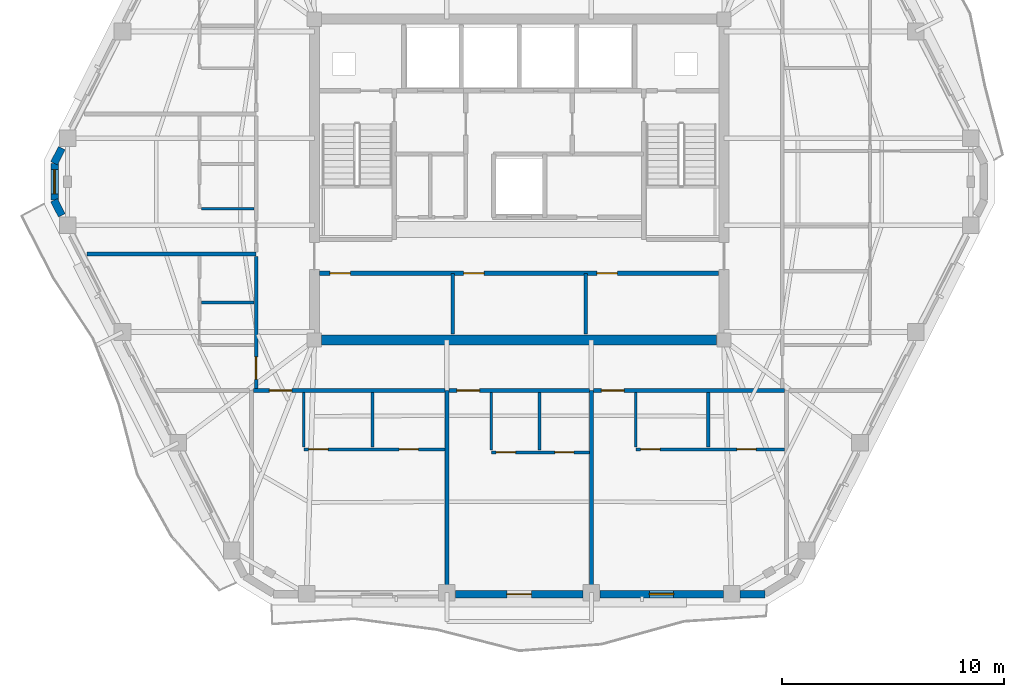
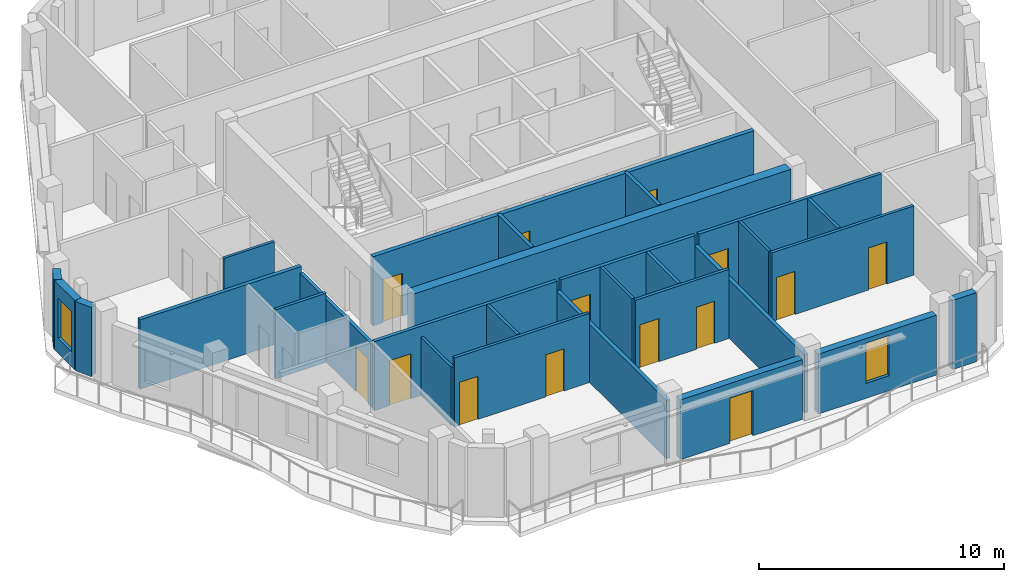
# One storey, part 4 of 11: 28 walls, 14 doors, 2 windows, 16 openings.
"""IFC4 building model written with IfcOpenShell, lengths in metres."""

from ifc_helpers import new_model, si_unit, direction, frame, frame_2d, origin, place, context, subcontext, project, spatial, rectangle, extrude, material, layer, layer_set, type_object, element, fill, save


model = new_model("IFC4")

# Units and contexts
model_context = context("Model", 3, precision=1e-05, world=origin(), true_north=direction((0.0, 1.0)))
body_context = subcontext(model_context, "Body", "Model", "MODEL_VIEW")
ifc_project = project(units=[si_unit("LENGTHUNIT", "METRE"), si_unit("AREAUNIT", "SQUARE_METRE"), si_unit("VOLUMEUNIT", "CUBIC_METRE"), si_unit("PLANEANGLEUNIT", "RADIAN"), si_unit("MASSUNIT", "GRAM", prefix="KILO")], contexts=[model_context])

# Site, building, storey
site_placement = place(None, origin())
site = spatial("IfcSite", under=ifc_project, at=site_placement, CompositionType="ELEMENT")
building_placement = place(site_placement, origin())
building = spatial("IfcBuilding", under=site, at=building_placement, Name="Cinnabar Lancet Tower", CompositionType="ELEMENT")
storey_placement = place(building_placement, frame((0.0, 0.0, 241.60009765625)))
storey = spatial("IfcBuildingStorey", under=building, at=storey_placement, Name="L64", CompositionType="ELEMENT", Elevation=241.60009765625)

# Walls
ifc_material_1 = material(Name="Acoustic twin-stud gypsum partition", Category="gypsum")
ifc_layer_1 = layer(ifc_material_1, 0.159912109375)
ifc_layer_set_1 = layer_set([ifc_layer_1], Name="Acoustic twin-stud gypsum partition")
wall_type_1 = type_object("IfcWallType", Name="ARC-WL-CORR-160", PredefinedType="PARTITIONING", material=ifc_layer_set_1)
for number, where, z_axis, x_axis, name in (
    (1, (29.39990234375, 18.949951171875, 0.0), (0.0, 0.0, 1.0), (0.0, 1.0, 0.0), "CW-SB-2940-L64"),
    (2, (35.39990234375, 18.949951171875, 0.0), (0.0, 0.0, 1.0), (0.0, 1.0, 0.0), "CW-SB-3540-L64"),
):
    element("IfcWall", number, at=place(storey_placement, frame(where, z_axis=z_axis, x_axis=x_axis)), inside=storey, type_object=wall_type_1, Name=name, PredefinedType="PARTITIONING", context=body_context, shape_type="SweptSolid", body=[
        extrude(rectangle(XDim=2.72998046875, YDim=0.159912109375, at=frame_2d((1.364990234375, 0.0))), origin(), (0.0, 0.0, 1.0), 3.449951171875),
    ])

# Wall, opening, door
wall_1_placement = place(storey_placement, frame((20.445068359375, 16.39990234375, 0.0), z_axis=(0.0, 0.0, 1.0), x_axis=(1.0, 0.0, 0.0)))
wall_1 = element("IfcWall", 3, at=wall_1_placement, inside=storey, type_object=wall_type_1, Name="L64 Unit S01 Corridor Wall", PredefinedType="PARTITIONING", context=body_context, shape_type="SweptSolid", body=[
    extrude(rectangle(XDim=8.60595703125, YDim=0.159912109375, at=frame_2d((4.302978515625, 0.0))), origin(), (0.0, 0.0, 1.0), 3.449951171875),
])
opening_1_placement = place(wall_1_placement, frame((0.705078125, 0.0, 0.0)))
opening_1 = element("IfcOpeningElement", 4, at=opening_1_placement, cuts=wall_1, Name="Opening UD-01", PredefinedType="OPENING", context=body_context, shape_type="SweptSolid", body=[
    extrude(rectangle(XDim=1.02001953125, YDim=2.25, at=frame_2d((0.510009765625, 1.125))), frame((0.0, 0.08984375, 0.0), z_axis=(0.0, -1.0, 0.0), x_axis=(1.0, 0.0, 0.0)), (0.0, 0.0, 1.0), 0.179931640625),
])
ifc_material_2 = material(Name="Solid timber fire-rated apartment entrance door", Category="wood")
door_type_1 = type_object("IfcDoorType", Name="ARC-DR-UNIT", OperationType="NOTDEFINED", PredefinedType="DOOR", material=ifc_material_2)
door_1_placement = place(opening_1_placement, origin())
door_1 = element("IfcDoor", 5, at=door_1_placement, inside=storey, type_object=door_type_1, Name="DR-L64-S01-ENT", OperationType="SINGLE_SWING_RIGHT", OverallHeight=2.25, OverallWidth=1.02001953125, PredefinedType="DOOR", context=body_context, shape_type="SweptSolid", body=[
    extrude(rectangle(XDim=1.02001953125, YDim=2.25, at=frame_2d((0.510009765625, 1.125))), frame((0.0, 0.02490234375, 0.0), z_axis=(0.0, -1.0, 0.0), x_axis=(1.0, 0.0, 0.0)), (0.0, 0.0, 1.0), 0.050048828125),
])
fill(opening_1, door_1)

wall_2_placement = place(storey_placement, frame((29.240966796875, 16.39990234375, 0.0), z_axis=(0.0, 0.0, 1.0), x_axis=(1.0, 0.0, 0.0)))
wall_2 = element("IfcWall", 6, at=wall_2_placement, inside=storey, type_object=wall_type_1, Name="L64 Unit S02 Corridor Wall", PredefinedType="PARTITIONING", context=body_context, shape_type="SweptSolid", body=[
    extrude(rectangle(XDim=6.318115234375, YDim=0.159912109375, at=frame_2d((3.1591796875, 0.0))), origin(), (0.0, 0.0, 1.0), 3.449951171875),
])
opening_2_placement = place(wall_2_placement, frame((0.35498046875, 0.0, 0.0)))
opening_2 = element("IfcOpeningElement", 7, at=opening_2_placement, cuts=wall_2, Name="Opening UD-01", PredefinedType="OPENING", context=body_context, shape_type="SweptSolid", body=[
    extrude(rectangle(XDim=1.02001953125, YDim=2.25, at=frame_2d((0.510009765625, 1.125))), frame((0.0, 0.08984375, 0.0), z_axis=(0.0, -1.0, 0.0), x_axis=(1.0, 0.0, 0.0)), (0.0, 0.0, 1.0), 0.179931640625),
])
door_2_placement = place(opening_2_placement, origin())
door_2 = element("IfcDoor", 8, at=door_2_placement, inside=storey, type_object=door_type_1, Name="DR-L64-S02-ENT", OperationType="SINGLE_SWING_LEFT", OverallHeight=2.25, OverallWidth=1.02001953125, PredefinedType="DOOR", context=body_context, shape_type="SweptSolid", body=[
    extrude(rectangle(XDim=1.02001953125, YDim=2.25, at=frame_2d((0.510009765625, 1.125))), frame((0.0, 0.02490234375, 0.0), z_axis=(0.0, -1.0, 0.0), x_axis=(1.0, 0.0, 0.0)), (0.0, 0.0, 1.0), 0.050048828125),
])
fill(opening_2, door_2)

wall_3_placement = place(storey_placement, frame((35.7490234375, 16.39990234375, 0.0), z_axis=(0.0, 0.0, 1.0), x_axis=(1.0, 0.0, 0.0)))
wall_3 = element("IfcWall", 9, at=wall_3_placement, inside=storey, type_object=wall_type_1, Name="L64 Unit S03 Corridor Wall", PredefinedType="PARTITIONING", context=body_context, shape_type="SweptSolid", body=[
    extrude(rectangle(XDim=8.60595703125, YDim=0.159912109375, at=frame_2d((4.302978515625, 0.0))), origin(), (0.0, 0.0, 1.0), 3.449951171875),
])
opening_3_placement = place(wall_3_placement, frame((0.35498046875, 0.0, 0.0)))
opening_3 = element("IfcOpeningElement", 10, at=opening_3_placement, cuts=wall_3, Name="Opening UD-01", PredefinedType="OPENING", context=body_context, shape_type="SweptSolid", body=[
    extrude(rectangle(XDim=1.02001953125, YDim=2.25, at=frame_2d((0.510009765625, 1.125))), frame((0.0, 0.08984375, 0.0), z_axis=(0.0, -1.0, 0.0), x_axis=(1.0, 0.0, 0.0)), (0.0, 0.0, 1.0), 0.179931640625),
])
door_3_placement = place(opening_3_placement, origin())
door_3 = element("IfcDoor", 11, at=door_3_placement, inside=storey, type_object=door_type_1, Name="DR-L64-S03-ENT", OperationType="SINGLE_SWING_RIGHT", OverallHeight=2.25, OverallWidth=1.02001953125, PredefinedType="DOOR", context=body_context, shape_type="SweptSolid", body=[
    extrude(rectangle(XDim=1.02001953125, YDim=2.25, at=frame_2d((0.510009765625, 1.125))), frame((0.0, 0.02490234375, 0.0), z_axis=(0.0, -1.0, 0.0), x_axis=(1.0, 0.0, 0.0)), (0.0, 0.0, 1.0), 0.050048828125),
])
fill(opening_3, door_3)

wall_4_placement = place(storey_placement, frame((20.550048828125, 16.4951171875, 0.0), z_axis=(0.0, 0.0, 1.0), x_axis=(0.0, 1.0, 0.0)))
wall_4 = element("IfcWall", 12, at=wall_4_placement, inside=storey, type_object=wall_type_1, Name="UW-L64-W01-COR", PredefinedType="PARTITIONING", context=body_context, shape_type="SweptSolid", body=[
    extrude(rectangle(XDim=5.947998046875, YDim=0.159912109375, at=frame_2d((2.97412109375, 0.0))), origin(), (0.0, 0.0, 1.0), 3.136962890625),
])
opening_4_placement = place(wall_4_placement, frame((0.39990234375, 0.0, 0.0)))
opening_4 = element("IfcOpeningElement", 13, at=opening_4_placement, cuts=wall_4, Name="Opening UD-01", PredefinedType="OPENING", context=body_context, shape_type="SweptSolid", body=[
    extrude(rectangle(XDim=1.02001953125, YDim=2.25, at=frame_2d((0.510009765625, 1.125))), frame((0.0, 0.08984375, 0.0), z_axis=(0.0, -1.0, 0.0), x_axis=(1.0, 0.0, 0.0)), (0.0, 0.0, 1.0), 0.179931640625),
])
door_4_placement = place(opening_4_placement, origin())
door_4 = element("IfcDoor", 14, at=door_4_placement, inside=storey, type_object=door_type_1, Name="DR-L64-W01-ENT", OperationType="SINGLE_SWING_RIGHT", OverallHeight=2.25, OverallWidth=1.02001953125, PredefinedType="DOOR", context=body_context, shape_type="SweptSolid", body=[
    extrude(rectangle(XDim=1.02001953125, YDim=2.25, at=frame_2d((0.510009765625, 1.125))), frame((0.0, 0.02490234375, 0.0), z_axis=(0.0, -1.0, 0.0), x_axis=(1.0, 0.0, 0.0)), (0.0, 0.0, 1.0), 0.050048828125),
])
fill(opening_4, door_4)

# Walls
ifc_material_3 = material(Name="Fire-rated twin-frame acoustic drywall", Category="gypsum")
ifc_layer_2 = layer(ifc_material_3, 0.179931640625)
ifc_layer_set_2 = layer_set([ifc_layer_2], Name="Fire-rated twin-frame acoustic drywall")
wall_type_2 = type_object("IfcWallType", Name="ARC-WL-PARTY-180", PredefinedType="PARTITIONING", material=ifc_layer_set_2)
for number, where, z_axis, x_axis, name in (
    (15, (29.14599609375, 7.405029296875, 0.0), (0.0, 0.0, 1.0), (0.0, 1.0, 0.0), "PW-L64-SPTY-291"),
    (16, (35.654052734375, 7.405029296875, 0.0), (0.0, 0.0, 1.0), (0.0, 1.0, 0.0), "PW-L64-SPTY-357"),
):
    element("IfcWall", number, at=place(storey_placement, frame(where, z_axis=z_axis, x_axis=x_axis)), inside=storey, type_object=wall_type_2, Name=name, PredefinedType="PARTITIONING", context=body_context, shape_type="SweptSolid", body=[
        extrude(rectangle(XDim=8.994873046875, YDim=0.179931640625, at=frame_2d((4.49755859375, 0.0))), origin(), (0.0, 0.0, 1.0), 2.906982421875),
    ])
wall_5_placement = place(storey_placement, frame((12.929931640625, 22.5380859375, 0.0), z_axis=(0.0, 0.0, 1.0), x_axis=(1.0, 0.0, 0.0)))
element("IfcWall", 17, at=wall_5_placement, inside=storey, type_object=wall_type_2, Name="PW-L64-WPTY-1", PredefinedType="PARTITIONING", context=body_context, shape_type="SweptSolid", body=[
    extrude(rectangle(XDim=7.6201171875, YDim=0.179931640625, at=frame_2d((3.81005859375, 0.0))), origin(), (0.0, 0.0, 1.0), 3.449951171875),
])

# Wall, openings, doors
ifc_material_4 = material(Name="Autoclaved aerated concrete blockwork", Category="masonry")
ifc_layer_3 = layer(ifc_material_4, 0.199951171875)
ifc_layer_set_3 = layer_set([ifc_layer_3], Name="Autoclaved aerated concrete blockwork")
wall_type_3 = type_object("IfcWallType", Name="ARC-WL-SHAFT-200", PredefinedType="PLUMBINGWALL", material=ifc_layer_set_3)
wall_6_placement = place(storey_placement, frame((23.419921875, 21.679931640625, 0.0), z_axis=(0.0, 0.0, 1.0), x_axis=(1.0, 0.0, 0.0)))
wall_6 = element("IfcWall", 18, at=wall_6_placement, inside=storey, type_object=wall_type_3, Name="CW-SBANDN-L64", PredefinedType="PLUMBINGWALL", context=body_context, shape_type="SweptSolid", body=[
    extrude(rectangle(XDim=17.9599609375, YDim=0.199951171875, at=frame_2d((8.97998046875, 0.0))), origin(), (0.0, 0.0, 1.0), 3.449951171875),
])
opening_5_placement = place(wall_6_placement, frame((0.4599609375, 0.0, 0.0)))
opening_5 = element("IfcOpeningElement", 19, at=opening_5_placement, cuts=wall_6, Name="Opening RD-01", PredefinedType="OPENING", context=body_context, shape_type="SweptSolid", body=[
    extrude(rectangle(XDim=0.919921875, YDim=2.14990234375, at=frame_2d((0.4599609375, 1.074951171875))), frame((0.0, 0.10986328125, 0.0), z_axis=(0.0, -1.0, 0.0), x_axis=(1.0, 0.0, 0.0)), (0.0, 0.0, 1.0), 0.219970703125),
])
opening_6_placement = place(wall_6_placement, frame((6.47998046875, 0.0, 0.0)))
opening_6 = element("IfcOpeningElement", 20, at=opening_6_placement, cuts=wall_6, Name="Opening RD-01", PredefinedType="OPENING", context=body_context, shape_type="SweptSolid", body=[
    extrude(rectangle(XDim=0.919921875, YDim=2.14990234375, at=frame_2d((0.4599609375, 1.074951171875))), frame((0.0, 0.10986328125, 0.0), z_axis=(0.0, -1.0, 0.0), x_axis=(1.0, 0.0, 0.0)), (0.0, 0.0, 1.0), 0.219970703125),
])
opening_7_placement = place(wall_6_placement, frame((12.47998046875, 0.0, 0.0)))
opening_7 = element("IfcOpeningElement", 21, at=opening_7_placement, cuts=wall_6, Name="Opening RD-01", PredefinedType="OPENING", context=body_context, shape_type="SweptSolid", body=[
    extrude(rectangle(XDim=0.919921875, YDim=2.14990234375, at=frame_2d((0.4599609375, 1.074951171875))), frame((0.0, 0.10986328125, 0.0), z_axis=(0.0, -1.0, 0.0), x_axis=(1.0, 0.0, 0.0)), (0.0, 0.0, 1.0), 0.219970703125),
])
ifc_material_5 = material(Name="Engineered timber bedroom door", Category="wood")
door_type_2 = type_object("IfcDoorType", Name="ARC-DR-ROOM", OperationType="NOTDEFINED", PredefinedType="DOOR", material=ifc_material_5)
door_5_placement = place(opening_5_placement, origin())
door_5 = element("IfcDoor", 22, at=door_5_placement, inside=storey, type_object=door_type_2, Name="DR-L64-HREC1", OperationType="SINGLE_SWING_LEFT", OverallHeight=2.14990234375, OverallWidth=0.919921875, PredefinedType="DOOR", context=body_context, shape_type="SweptSolid", body=[
    extrude(rectangle(XDim=0.919921875, YDim=2.14990234375, at=frame_2d((0.4599609375, 1.074951171875))), frame((0.0, 0.02490234375, 0.0), z_axis=(0.0, -1.0, 0.0), x_axis=(1.0, 0.0, 0.0)), (0.0, 0.0, 1.0), 0.050048828125),
])
fill(opening_5, door_5)
door_6_placement = place(opening_6_placement, origin())
door_6 = element("IfcDoor", 23, at=door_6_placement, inside=storey, type_object=door_type_2, Name="DR-L64-HREC2", OperationType="SINGLE_SWING_RIGHT", OverallHeight=2.14990234375, OverallWidth=0.919921875, PredefinedType="DOOR", context=body_context, shape_type="SweptSolid", body=[
    extrude(rectangle(XDim=0.919921875, YDim=2.14990234375, at=frame_2d((0.4599609375, 1.074951171875))), frame((0.0, 0.02490234375, 0.0), z_axis=(0.0, -1.0, 0.0), x_axis=(1.0, 0.0, 0.0)), (0.0, 0.0, 1.0), 0.050048828125),
])
fill(opening_6, door_6)
door_7_placement = place(opening_7_placement, origin())
door_7 = element("IfcDoor", 24, at=door_7_placement, inside=storey, type_object=door_type_2, Name="DR-L64-HREC3", OperationType="SINGLE_SWING_LEFT", OverallHeight=2.14990234375, OverallWidth=0.919921875, PredefinedType="DOOR", context=body_context, shape_type="SweptSolid", body=[
    extrude(rectangle(XDim=0.919921875, YDim=2.14990234375, at=frame_2d((0.4599609375, 1.074951171875))), frame((0.0, 0.02490234375, 0.0), z_axis=(0.0, -1.0, 0.0), x_axis=(1.0, 0.0, 0.0)), (0.0, 0.0, 1.0), 0.050048828125),
])
fill(opening_7, door_7)

# Walls
ifc_material_6 = material(Name="Gypsum plasterboard stud partition", Category="gypsum")
ifc_layer_4 = layer(ifc_material_6, 0.125)
ifc_layer_set_4 = layer_set([ifc_layer_4], Name="Gypsum plasterboard stud partition")
wall_type_4 = type_object("IfcWallType", Name="ARC-WL-UNIT-125", PredefinedType="PARTITIONING", material=ifc_layer_set_4)
wall_7_placement = place(storey_placement, frame((22.699951171875, 13.85498046875, 0.0), z_axis=(0.0, 0.0, 1.0), x_axis=(0.0, 1.0, 0.0)))
element("IfcWall", 25, at=wall_7_placement, inside=storey, type_object=wall_type_4, Name="UW-L64-S01-FOYE", PredefinedType="PARTITIONING", context=body_context, shape_type="SweptSolid", body=[
    extrude(rectangle(XDim=2.4599609375, YDim=0.125, at=frame_2d((1.22998046875, 0.0))), origin(), (0.0, 0.0, 1.0), 2.906982421875),
])
wall_8_placement = place(storey_placement, frame((31.14599609375, 13.717041015625, 0.0), z_axis=(0.0, 0.0, 1.0), x_axis=(0.0, 1.0, 0.0)))
element("IfcWall", 26, at=wall_8_placement, inside=storey, type_object=wall_type_4, Name="UW-L64-S02-FOYE", PredefinedType="PARTITIONING", context=body_context, shape_type="SweptSolid", body=[
    extrude(rectangle(XDim=2.597900390625, YDim=0.125, at=frame_2d((1.298828125, 0.0))), origin(), (0.0, 0.0, 1.0), 3.449951171875),
])
wall_9_placement = place(storey_placement, frame((37.654052734375, 13.85498046875, 0.0), z_axis=(0.0, 0.0, 1.0), x_axis=(0.0, 1.0, 0.0)))
element("IfcWall", 27, at=wall_9_placement, inside=storey, type_object=wall_type_4, Name="UW-L64-S03-FOYE", PredefinedType="PARTITIONING", context=body_context, shape_type="SweptSolid", body=[
    extrude(rectangle(XDim=2.4599609375, YDim=0.125, at=frame_2d((1.22998046875, 0.0))), origin(), (0.0, 0.0, 1.0), 3.449951171875),
])
wall_10_placement = place(storey_placement, frame((18.0849609375, 24.587890625, 0.0), z_axis=(0.0, 0.0, 1.0), x_axis=(1.0, 0.0, 0.0)))
element("IfcWall", 28, at=wall_10_placement, inside=storey, type_object=wall_type_4, Name="UW-L64-W02-FOYN", PredefinedType="PARTITIONING", context=body_context, shape_type="SweptSolid", body=[
    extrude(rectangle(XDim=2.380126953125, YDim=0.125, at=frame_2d((1.18994140625, 0.0))), origin(), (0.0, 0.0, 1.0), 3.449951171875),
])

# Wall, openings, doors
ifc_material_7 = material(Name="Moisture-resistant cement-board plumbing wall", Category="masonry")
ifc_layer_5 = layer(ifc_material_7, 0.139892578125)
ifc_layer_set_5 = layer_set([ifc_layer_5], Name="Moisture-resistant cement-board plumbing wall")
wall_type_5 = type_object("IfcWallType", Name="ARC-WL-WET-140", PredefinedType="PLUMBINGWALL", material=ifc_layer_set_5)
wall_11_placement = place(storey_placement, frame((22.699951171875, 13.75, 0.0), z_axis=(0.0, 0.0, 1.0), x_axis=(1.0, 0.0, 0.0)))
wall_11 = element("IfcWall", 29, at=wall_11_placement, inside=storey, type_object=wall_type_5, Name="UW-L64-S01-SPL", PredefinedType="PLUMBINGWALL", context=body_context, shape_type="SweptSolid", body=[
    extrude(rectangle(XDim=6.35107421875, YDim=0.139892578125, at=frame_2d((3.175537109375, 0.0))), origin(), (0.0, 0.0, 1.0), 3.449951171875),
])
opening_8_placement = place(wall_11_placement, frame((4.298095703125, 0.0, 0.0)))
opening_8 = element("IfcOpeningElement", 30, at=opening_8_placement, cuts=wall_11, Name="Opening BD-01", PredefinedType="OPENING", context=body_context, shape_type="SweptSolid", body=[
    extrude(rectangle(XDim=0.860107421875, YDim=2.10009765625, at=frame_2d((0.43017578125, 1.050048828125))), frame((0.0, 0.079833984375, 0.0), z_axis=(0.0, -1.0, 0.0), x_axis=(1.0, 0.0, 0.0)), (0.0, 0.0, 1.0), 0.159912109375),
])
opening_9_placement = place(wall_11_placement, frame((0.219970703125, 0.0, 0.0)))
opening_9 = element("IfcOpeningElement", 31, at=opening_9_placement, cuts=wall_11, Name="Opening RD-02", PredefinedType="OPENING", context=body_context, shape_type="SweptSolid", body=[
    extrude(rectangle(XDim=0.8798828125, YDim=2.14990234375, at=frame_2d((0.43994140625, 1.074951171875))), frame((0.0, 0.079833984375, 0.0), z_axis=(0.0, -1.0, 0.0), x_axis=(1.0, 0.0, 0.0)), (0.0, 0.0, 1.0), 0.159912109375),
])
ifc_material_8 = material(Name="Moisture-resistant timber bathroom door", Category="wood")
door_type_3 = type_object("IfcDoorType", Name="ARC-DR-BATH", OperationType="NOTDEFINED", PredefinedType="DOOR", material=ifc_material_8)
door_8_placement = place(opening_8_placement, origin())
door_8 = element("IfcDoor", 32, at=door_8_placement, inside=storey, type_object=door_type_3, Name="DR-L64-S01-BTH", OperationType="SINGLE_SWING_RIGHT", OverallHeight=2.10009765625, OverallWidth=0.860107421875, PredefinedType="DOOR", context=body_context, shape_type="SweptSolid", body=[
    extrude(rectangle(XDim=0.860107421875, YDim=2.10009765625, at=frame_2d((0.43017578125, 1.050048828125))), frame((0.0, 0.02490234375, 0.0), z_axis=(0.0, -1.0, 0.0), x_axis=(1.0, 0.0, 0.0)), (0.0, 0.0, 1.0), 0.050048828125),
])
fill(opening_8, door_8)
ifc_material_9 = material(Name="Engineered timber study door", Category="wood")
door_type_4 = type_object("IfcDoorType", Name="ARC-DR-STUDY", OperationType="NOTDEFINED", PredefinedType="DOOR", material=ifc_material_9)
door_9_placement = place(opening_9_placement, origin())
door_9 = element("IfcDoor", 33, at=door_9_placement, inside=storey, type_object=door_type_4, Name="DR-L64-S01-KIT", OperationType="SINGLE_SWING_LEFT", OverallHeight=2.14990234375, OverallWidth=0.8798828125, PredefinedType="DOOR", context=body_context, shape_type="SweptSolid", body=[
    extrude(rectangle(XDim=0.8798828125, YDim=2.14990234375, at=frame_2d((0.43994140625, 1.074951171875))), frame((0.0, 0.02490234375, 0.0), z_axis=(0.0, -1.0, 0.0), x_axis=(1.0, 0.0, 0.0)), (0.0, 0.0, 1.0), 0.050048828125),
])
fill(opening_9, door_9)

# Wall
wall_12_placement = place(storey_placement, frame((25.7939453125, 13.85498046875, 0.0), z_axis=(0.0, 0.0, 1.0), x_axis=(0.0, 1.0, 0.0)))
element("IfcWall", 34, at=wall_12_placement, inside=storey, type_object=wall_type_5, Name="UW-L64-S01-KDV", PredefinedType="PLUMBINGWALL", context=body_context, shape_type="SweptSolid", body=[
    extrude(rectangle(XDim=2.4599609375, YDim=0.139892578125, at=frame_2d((1.22998046875, 0.0))), origin(), (0.0, 0.0, 1.0), 3.449951171875),
])

# Wall, openings, doors
wall_13_placement = place(storey_placement, frame((31.14599609375, 13.612060546875, 0.0), z_axis=(0.0, 0.0, 1.0), x_axis=(1.0, 0.0, 0.0)))
wall_13 = element("IfcWall", 35, at=wall_13_placement, inside=storey, type_object=wall_type_5, Name="UW-L64-S02-SPL", PredefinedType="PLUMBINGWALL", context=body_context, shape_type="SweptSolid", body=[
    extrude(rectangle(XDim=4.4130859375, YDim=0.139892578125, at=frame_2d((2.20654296875, 0.0))), origin(), (0.0, 0.0, 1.0), 3.449951171875),
])
opening_10_placement = place(wall_13_placement, frame((2.864013671875, 0.0, 0.0)))
opening_10 = element("IfcOpeningElement", 36, at=opening_10_placement, cuts=wall_13, Name="Opening BD-01", PredefinedType="OPENING", context=body_context, shape_type="SweptSolid", body=[
    extrude(rectangle(XDim=0.860107421875, YDim=2.10009765625, at=frame_2d((0.43017578125, 1.050048828125))), frame((0.0, 0.079833984375, 0.0), z_axis=(0.0, -1.0, 0.0), x_axis=(1.0, 0.0, 0.0)), (0.0, 0.0, 1.0), 0.159912109375),
])
opening_11_placement = place(wall_13_placement, frame((0.219970703125, 0.0, 0.0)))
opening_11 = element("IfcOpeningElement", 37, at=opening_11_placement, cuts=wall_13, Name="Opening RD-02", PredefinedType="OPENING", context=body_context, shape_type="SweptSolid", body=[
    extrude(rectangle(XDim=0.8798828125, YDim=2.14990234375, at=frame_2d((0.43994140625, 1.074951171875))), frame((0.0, 0.079833984375, 0.0), z_axis=(0.0, -1.0, 0.0), x_axis=(1.0, 0.0, 0.0)), (0.0, 0.0, 1.0), 0.159912109375),
])
door_10_placement = place(opening_10_placement, origin())
door_10 = element("IfcDoor", 38, at=door_10_placement, inside=storey, type_object=door_type_3, Name="DR-L64-S02-BTH", OperationType="SINGLE_SWING_LEFT", OverallHeight=2.10009765625, OverallWidth=0.860107421875, PredefinedType="DOOR", context=body_context, shape_type="SweptSolid", body=[
    extrude(rectangle(XDim=0.860107421875, YDim=2.10009765625, at=frame_2d((0.43017578125, 1.050048828125))), frame((0.0, 0.02490234375, 0.0), z_axis=(0.0, -1.0, 0.0), x_axis=(1.0, 0.0, 0.0)), (0.0, 0.0, 1.0), 0.050048828125),
])
fill(opening_10, door_10)
door_11_placement = place(opening_11_placement, origin())
door_11 = element("IfcDoor", 39, at=door_11_placement, inside=storey, type_object=door_type_4, Name="DR-L64-S02-KIT", OperationType="SINGLE_SWING_RIGHT", OverallHeight=2.14990234375, OverallWidth=0.8798828125, PredefinedType="DOOR", context=body_context, shape_type="SweptSolid", body=[
    extrude(rectangle(XDim=0.8798828125, YDim=2.14990234375, at=frame_2d((0.43994140625, 1.074951171875))), frame((0.0, 0.02490234375, 0.0), z_axis=(0.0, -1.0, 0.0), x_axis=(1.0, 0.0, 0.0)), (0.0, 0.0, 1.0), 0.050048828125),
])
fill(opening_11, door_11)

# Wall
wall_14_placement = place(storey_placement, frame((33.31005859375, 13.717041015625, 0.0), z_axis=(0.0, 0.0, 1.0), x_axis=(0.0, 1.0, 0.0)))
element("IfcWall", 40, at=wall_14_placement, inside=storey, type_object=wall_type_5, Name="UW-L64-S02-KDV", PredefinedType="PLUMBINGWALL", context=body_context, shape_type="SweptSolid", body=[
    extrude(rectangle(XDim=2.597900390625, YDim=0.139892578125, at=frame_2d((1.298828125, 0.0))), origin(), (0.0, 0.0, 1.0), 3.449951171875),
])

# Wall, openings, doors
wall_15_placement = place(storey_placement, frame((37.654052734375, 13.75, 0.0), z_axis=(0.0, 0.0, 1.0), x_axis=(1.0, 0.0, 0.0)))
wall_15 = element("IfcWall", 41, at=wall_15_placement, inside=storey, type_object=wall_type_5, Name="UW-L64-S03-SPL", PredefinedType="PLUMBINGWALL", context=body_context, shape_type="SweptSolid", body=[
    extrude(rectangle(XDim=6.700927734375, YDim=0.139892578125, at=frame_2d((3.3505859375, 0.0))), origin(), (0.0, 0.0, 1.0), 3.449951171875),
])
opening_12_placement = place(wall_15_placement, frame((4.555908203125, 0.0, 0.0)))
opening_12 = element("IfcOpeningElement", 42, at=opening_12_placement, cuts=wall_15, Name="Opening BD-01", PredefinedType="OPENING", context=body_context, shape_type="SweptSolid", body=[
    extrude(rectangle(XDim=0.860107421875, YDim=2.10009765625, at=frame_2d((0.43017578125, 1.050048828125))), frame((0.0, 0.079833984375, 0.0), z_axis=(0.0, -1.0, 0.0), x_axis=(1.0, 0.0, 0.0)), (0.0, 0.0, 1.0), 0.159912109375),
])
opening_13_placement = place(wall_15_placement, frame((0.219970703125, 0.0, 0.0)))
opening_13 = element("IfcOpeningElement", 43, at=opening_13_placement, cuts=wall_15, Name="Opening RD-02", PredefinedType="OPENING", context=body_context, shape_type="SweptSolid", body=[
    extrude(rectangle(XDim=0.8798828125, YDim=2.14990234375, at=frame_2d((0.43994140625, 1.074951171875))), frame((0.0, 0.079833984375, 0.0), z_axis=(0.0, -1.0, 0.0), x_axis=(1.0, 0.0, 0.0)), (0.0, 0.0, 1.0), 0.159912109375),
])
door_12_placement = place(opening_12_placement, origin())
door_12 = element("IfcDoor", 44, at=door_12_placement, inside=storey, type_object=door_type_3, Name="DR-L64-S03-BTH", OperationType="SINGLE_SWING_RIGHT", OverallHeight=2.10009765625, OverallWidth=0.860107421875, PredefinedType="DOOR", context=body_context, shape_type="SweptSolid", body=[
    extrude(rectangle(XDim=0.860107421875, YDim=2.10009765625, at=frame_2d((0.43017578125, 1.050048828125))), frame((0.0, 0.02490234375, 0.0), z_axis=(0.0, -1.0, 0.0), x_axis=(1.0, 0.0, 0.0)), (0.0, 0.0, 1.0), 0.050048828125),
])
fill(opening_12, door_12)
door_13_placement = place(opening_13_placement, origin())
door_13 = element("IfcDoor", 45, at=door_13_placement, inside=storey, type_object=door_type_4, Name="DR-L64-S03-KIT", OperationType="SINGLE_SWING_LEFT", OverallHeight=2.14990234375, OverallWidth=0.8798828125, PredefinedType="DOOR", context=body_context, shape_type="SweptSolid", body=[
    extrude(rectangle(XDim=0.8798828125, YDim=2.14990234375, at=frame_2d((0.43994140625, 1.074951171875))), frame((0.0, 0.02490234375, 0.0), z_axis=(0.0, -1.0, 0.0), x_axis=(1.0, 0.0, 0.0)), (0.0, 0.0, 1.0), 0.050048828125),
])
fill(opening_13, door_13)

# Walls
wall_16_placement = place(storey_placement, frame((40.916015625, 13.85498046875, 0.0), z_axis=(0.0, 0.0, 1.0), x_axis=(0.0, 1.0, 0.0)))
element("IfcWall", 46, at=wall_16_placement, inside=storey, type_object=wall_type_5, Name="UW-L64-S03-KDV", PredefinedType="PLUMBINGWALL", context=body_context, shape_type="SweptSolid", body=[
    extrude(rectangle(XDim=2.4599609375, YDim=0.139892578125, at=frame_2d((1.22998046875, 0.0))), origin(), (0.0, 0.0, 1.0), 3.449951171875),
])
wall_17_placement = place(storey_placement, frame((18.0849609375, 20.366943359375, 0.0), z_axis=(0.0, 0.0, 1.0), x_axis=(1.0, 0.0, 0.0)))
element("IfcWall", 47, at=wall_17_placement, inside=storey, type_object=wall_type_5, Name="UW-L64-W01-KDV", PredefinedType="PLUMBINGWALL", context=body_context, shape_type="SweptSolid", body=[
    extrude(rectangle(XDim=2.380126953125, YDim=0.139892578125, at=frame_2d((1.18994140625, 0.0))), origin(), (0.0, 0.0, 1.0), 3.449951171875),
])

# Wall, opening, window
ifc_material_10 = material(Name="Cinnabar red clay brick", Category="masonry")
ifc_layer_6 = layer(ifc_material_10, 0.340087890625)
ifc_layer_set_6 = layer_set([ifc_layer_6], Name="Cinnabar red clay brick")
wall_type_6 = type_object("IfcWallType", Name="ENV-WL-BRK-RED-340", PredefinedType="STANDARD", material=ifc_layer_set_6)
wall_18_placement = place(storey_placement, frame((11.47705078125, 26.6201171875, 0.0), z_axis=(0.0, 0.0, 1.0), x_axis=(0.0, -1.0, 0.0)))
wall_18 = element("IfcWall", 48, at=wall_18_placement, inside=storey, type_object=wall_type_6, Name="L64 Chamfered Corner Brick Pier 6.1", PredefinedType="STANDARD", context=body_context, shape_type="SweptSolid", body=[
    extrude(rectangle(XDim=1.64013671875, YDim=0.340087890625, at=frame_2d((0.820068359375, 0.0))), origin(), (0.0, 0.0, 1.0), 3.449951171875),
])
opening_14_placement = place(wall_18_placement, frame((0.27001953125, 0.0, 0.75)))
opening_14 = element("IfcOpeningElement", 49, at=opening_14_placement, cuts=wall_18, Name="Opening WN-04", PredefinedType="OPENING", context=body_context, shape_type="SweptSolid", body=[
    extrude(rectangle(XDim=1.10009765625, YDim=2.0, at=frame_2d((0.550048828125, 1.0))), frame((0.0, 0.179931640625, 0.0), z_axis=(0.0, -1.0, 0.0), x_axis=(1.0, 0.0, 0.0)), (0.0, 0.0, 1.0), 0.360107421875),
])
ifc_material_11 = material(Name="Thermally broken bronze-anodized aluminium tall lancet window", Category="aluminium")
window_type = type_object("IfcWindowType", Name="ENV-WN-LANCET-1100", PartitioningType="SINGLE_PANEL", PredefinedType="WINDOW", material=ifc_material_11)
window_1_placement = place(opening_14_placement, origin())
window_1 = element("IfcWindow", 50, at=window_1_placement, inside=storey, type_object=window_type, Name="L64 Dwelling Gothic Lancet Window 333", OverallHeight=2.0, OverallWidth=1.10009765625, PartitioningType="SINGLE_PANEL", PredefinedType="WINDOW", context=body_context, shape_type="SweptSolid", body=[
    extrude(rectangle(XDim=1.10009765625, YDim=2.0, at=frame_2d((0.550048828125, 1.0))), frame((0.0, 0.030029296875, 0.0), z_axis=(0.0, -1.0, 0.0), x_axis=(1.0, 0.0, 0.0)), (0.0, 0.0, 1.0), 0.06005859375),
])
fill(opening_14, window_1)

# Wall, opening, door
wall_19_placement = place(storey_placement, frame((29.52490234375, 7.22998046875, 0.0), z_axis=(0.0, 0.0, 1.0), x_axis=(1.0, 0.0, 0.0)))
wall_19 = element("IfcWall", 51, at=wall_19_placement, inside=storey, type_object=wall_type_6, Name="L64 Face 1 Masonry Bay Wall 3", PredefinedType="STANDARD", context=body_context, shape_type="SweptSolid", body=[
    extrude(rectangle(XDim=5.75, YDim=0.340087890625, at=frame_2d((2.875, 0.0))), origin(), (0.0, 0.0, 1.0), 2.98291015625),
])
opening_15_placement = place(wall_19_placement, frame((2.324951171875, 0.0, 0.0)))
opening_15 = element("IfcOpeningElement", 52, at=opening_15_placement, cuts=wall_19, Name="Opening TD-01", PredefinedType="OPENING", context=body_context, shape_type="SweptSolid", body=[
    extrude(rectangle(XDim=1.10009765625, YDim=2.25, at=frame_2d((0.550048828125, 1.125))), frame((0.0, 0.179931640625, 0.0), z_axis=(0.0, -1.0, 0.0), x_axis=(1.0, 0.0, 0.0)), (0.0, 0.0, 1.0), 0.360107421875),
])
ifc_material_12 = material(Name="Thermally broken low-E glazed balcony terrace door", Category="wood")
door_type_5 = type_object("IfcDoorType", Name="ARC-DR-BALC", OperationType="NOTDEFINED", PredefinedType="DOOR", material=ifc_material_12)
door_14_placement = place(opening_15_placement, origin())
door_14 = element("IfcDoor", 53, at=door_14_placement, inside=storey, type_object=door_type_5, Name="L64 Face 1 Glazed Terrace Door", OperationType="SINGLE_SWING_LEFT", OverallHeight=2.25, OverallWidth=1.10009765625, PredefinedType="DOOR", context=body_context, shape_type="SweptSolid", body=[
    extrude(rectangle(XDim=1.10009765625, YDim=2.25, at=frame_2d((0.550048828125, 1.125))), frame((0.0, 0.02490234375, 0.0), z_axis=(0.0, -1.0, 0.0), x_axis=(1.0, 0.0, 0.0)), (0.0, 0.0, 1.0), 0.050048828125),
])
fill(opening_15, door_14)

# Wall, opening, window
wall_20_placement = place(storey_placement, frame((36.032958984375, 7.22998046875, 0.0), z_axis=(0.0, 0.0, 1.0), x_axis=(1.0, 0.0, 0.0)))
wall_20 = element("IfcWall", 54, at=wall_20_placement, inside=storey, type_object=wall_type_6, Name="L64 Face 1 Masonry Bay Wall 4", PredefinedType="STANDARD", context=body_context, shape_type="SweptSolid", body=[
    extrude(rectangle(XDim=5.56005859375, YDim=0.340087890625, at=frame_2d((2.780029296875, 0.0))), origin(), (0.0, 0.0, 1.0), 2.98291015625),
])
opening_16_placement = place(wall_20_placement, frame((2.22998046875, 0.0, 0.75)))
opening_16 = element("IfcOpeningElement", 55, at=opening_16_placement, cuts=wall_20, Name="Opening WN-04", PredefinedType="OPENING", context=body_context, shape_type="SweptSolid", body=[
    extrude(rectangle(XDim=1.10009765625, YDim=2.0, at=frame_2d((0.550048828125, 1.0))), frame((0.0, 0.179931640625, 0.0), z_axis=(0.0, -1.0, 0.0), x_axis=(1.0, 0.0, 0.0)), (0.0, 0.0, 1.0), 0.360107421875),
])
window_2_placement = place(opening_16_placement, origin())
window_2 = element("IfcWindow", 56, at=window_2_placement, inside=storey, type_object=window_type, Name="L64 Face 1 Gothic Lancet Window 4", OverallHeight=2.0, OverallWidth=1.10009765625, PartitioningType="SINGLE_PANEL", PredefinedType="WINDOW", context=body_context, shape_type="SweptSolid", body=[
    extrude(rectangle(XDim=1.10009765625, YDim=2.0, at=frame_2d((0.550048828125, 1.0))), frame((0.0, 0.030029296875, 0.0), z_axis=(0.0, -1.0, 0.0), x_axis=(1.0, 0.0, 0.0)), (0.0, 0.0, 1.0), 0.06005859375),
])
fill(opening_16, window_2)

# Walls
wall_21_placement = place(storey_placement, frame((42.35107421875, 7.22998046875, 0.0), z_axis=(0.0, 0.0, 1.0), x_axis=(1.0, 0.0, 0.0)))
element("IfcWall", 57, at=wall_21_placement, inside=storey, type_object=wall_type_6, Name="L64 Face 1 Masonry Bay Wall 5", PredefinedType="STANDARD", context=body_context, shape_type="SweptSolid", body=[
    extrude(rectangle(XDim=1.123046875, YDim=0.340087890625, at=frame_2d((0.5615234375, 0.0))), origin(), (0.0, 0.0, 1.0), 3.449951171875),
])
for number, where, z_axis, x_axis, name in (
    (58, (11.803955078125, 27.31591796875, 0.0), (0.0, 0.0, 1.0), (-0.45075284655, -0.892648795063, 0.0), "L64 Face 5 Masonry Bay Wall 5"),
    (59, (11.4560546875, 24.972900390625, 0.0), (0.0, 0.0, 1.0), (0.45075284655, -0.892648795063, 0.0), "L64 Face 6 Masonry Bay Wall 1"),
):
    element("IfcWall", number, at=place(storey_placement, frame(where, z_axis=z_axis, x_axis=x_axis)), inside=storey, type_object=wall_type_6, Name=name, PredefinedType="STANDARD", context=body_context, shape_type="SweptSolid", body=[
        extrude(rectangle(XDim=0.771728515625, YDim=0.340087890625, at=frame_2d((0.3857421875, 0.0))), origin(), (0.0, 0.0, 1.0), 3.449951171875),
    ])
ifc_material_13 = material(Name="Concrete C50/60", Category="concrete")
ifc_layer_7 = layer(ifc_material_13, 0.449951171875)
ifc_layer_set_7 = layer_set([ifc_layer_7], Name="Concrete C50/60")
wall_type_7 = type_object("IfcWallType", Name="STR-WL-CORE-450", PredefinedType="SHEAR", material=ifc_layer_set_7)
wall_22_placement = place(storey_placement, frame((23.5, 18.675048828125, 0.0), z_axis=(0.0, 0.0, 1.0), x_axis=(1.0, 0.0, 0.0)))
element("IfcWall", 60, at=wall_22_placement, inside=storey, type_object=wall_type_7, Name="L64 Core Shear Wall S", PredefinedType="SHEAR", context=body_context, shape_type="SweptSolid", body=[
    extrude(rectangle(XDim=17.800048828125, YDim=0.449951171875, at=frame_2d((8.89990234375, 0.0))), origin(), (0.0, 0.0, 1.0), 3.449951171875),
])

save(model, "model.ifc")
